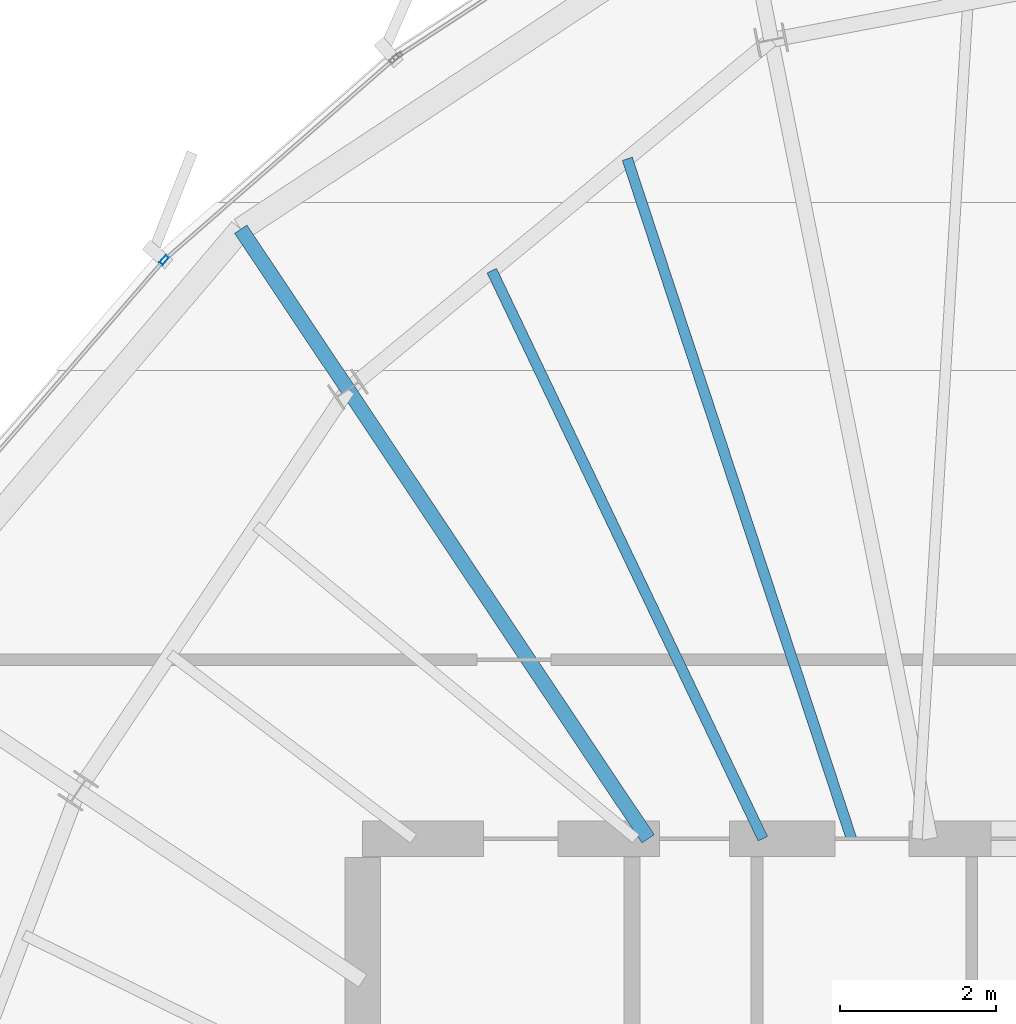
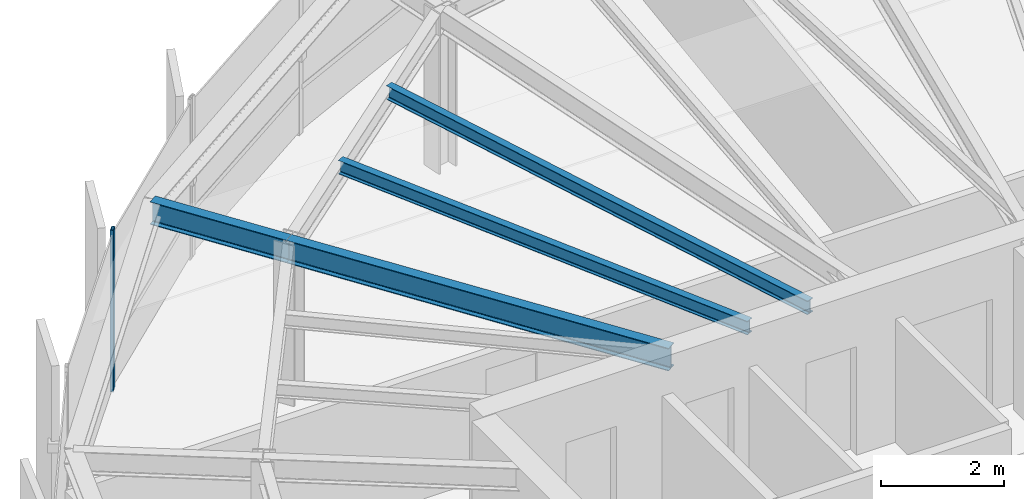
# One storey, part 19 of 32: 4 beams, 1 member, 1 element without a shape of its own.
"""IFC4 building model written with IfcOpenShell, lengths in metres."""

from ifc_helpers import new_model, si_unit, direction, frame, origin, origin_2d, place, context, subcontext, project, spatial, hollow_rectangle, i_section, extrude, source, transform, mapped, material, layer, layer_set, material_profile, profile_set, type_object, element, aggregate, save


model = new_model("IFC4")

# Units and contexts
model_context = context("Model", 3, precision=1e-05, world=origin(), true_north=direction((0.0, 1.0)))
body_context = subcontext(model_context, "Body", "Model", "MODEL_VIEW")
ifc_project = project(units=[si_unit("LENGTHUNIT", "METRE"), si_unit("AREAUNIT", "SQUARE_METRE"), si_unit("VOLUMEUNIT", "CUBIC_METRE"), si_unit("PLANEANGLEUNIT", "RADIAN"), si_unit("MASSUNIT", "GRAM", prefix="KILO"), si_unit("THERMODYNAMICTEMPERATUREUNIT", "KELVIN")], contexts=[model_context])

# Site, building, storey
site_placement = place(None, origin())
site = spatial("IfcSite", under=ifc_project, at=site_placement, CompositionType="ELEMENT")
building_placement = place(site_placement, origin())
building = spatial("IfcBuilding", under=site, at=building_placement, Name="Kethvar Cultural Tower", CompositionType="ELEMENT")
storey_placement = place(building_placement, frame((0.0, 0.0, 280.14990234375)))
storey = spatial("IfcBuildingStorey", under=building, at=storey_placement, Name="L74", CompositionType="ELEMENT", Elevation=280.14990234375)

# Beams
ifc_material_1 = material(Name="Steel S355J2", Category="steel")
ifc_material_profile_1 = material_profile(ifc_material_1, i_section(OverallWidth=0.18994140625, OverallDepth=0.449951171875, WebThickness=0.009521484375, FlangeThickness=0.0146484375, FilletRadius=0.02099609375, at=origin_2d()), Name="Steel S355J2 — IPE450")
ifc_profile_set_1 = profile_set([ifc_material_profile_1], Name="Steel S355J2 — IPE450")
beam_type_1 = type_object("IfcBeamType", Name="BM-IPE450", PredefinedType="BEAM", material=ifc_profile_set_1)
shared_shape_1 = source(origin(), body_context, "Body", "SweptSolid", [
    extrude(i_section(OverallWidth=0.18994140625, OverallDepth=0.449951171875, WebThickness=0.009521484375, FlangeThickness=0.0146484375, FilletRadius=0.02099609375, at=origin_2d()), origin(), (0.0, 0.0, 1.0), 6.921630859375),
])
beam_1_placement = place(storey_placement, frame((41.655029296875, 35.5, 2.983154296875), z_axis=(-0.555570841874, 0.831469205479, 0.0), x_axis=(-0.831469205479, -0.555570841874, 0.0)))
element("IfcBeam", 1, at=beam_1_placement, inside=storey, type_object=beam_type_1, Name="L74 Primary Radial Beam RB-06", PredefinedType="BEAM", context=body_context, shape_type="MappedRepresentation", body=[
    mapped(shared_shape_1, transform((0.0, 0.0, 0.0), scale=1.0)),
])
ifc_material_profile_2 = material_profile(ifc_material_1, i_section(OverallWidth=0.135009765625, OverallDepth=0.27001953125, WebThickness=0.006591796875, FlangeThickness=0.01025390625, FilletRadius=0.014892578125, at=origin_2d()), Name="Steel S355J2 — IPE270")
ifc_profile_set_2 = profile_set([ifc_material_profile_2], Name="Steel S355J2 — IPE270")
beam_type_2 = type_object("IfcBeamType", Name="BM-J270", PredefinedType="JOIST", material=ifc_profile_set_2)
shared_shape_2 = source(origin(), body_context, "Body", "SweptSolid", [
    extrude(i_section(OverallWidth=0.135009765625, OverallDepth=0.27001953125, WebThickness=0.006591796875, FlangeThickness=0.01025390625, FilletRadius=0.014892578125, at=origin_2d()), origin(), (0.0, 0.0, 1.0), 9.17138671875),
])
beam_2_placement = place(storey_placement, frame((44.260986328125, 35.5, 3.072998046875), z_axis=(-0.313151555446, 0.949703165901, 0.0), x_axis=(-0.949703165901, -0.313151555446, 0.0)))
element("IfcBeam", 2, at=beam_2_placement, inside=storey, type_object=beam_type_2, Name="L74 Composite Floor Joist J-05A", PredefinedType="JOIST", context=body_context, shape_type="MappedRepresentation", body=[
    mapped(shared_shape_2, transform((0.0, 0.0, 0.0), scale=1.0)),
])
shared_shape_3 = source(origin(), body_context, "Body", "SweptSolid", [
    extrude(i_section(OverallWidth=0.135009765625, OverallDepth=0.27001953125, WebThickness=0.006591796875, FlangeThickness=0.01025390625, FilletRadius=0.014892578125, at=origin_2d()), origin(), (0.0, 0.0, 1.0), 8.063232421875),
])
beam_3_placement = place(storey_placement, frame((43.1259765625, 35.5, 3.072998046875), z_axis=(-0.430642151588, 0.902522762746, 0.0), x_axis=(-0.902522762746, -0.430642151588, 0.0)))
element("IfcBeam", 3, at=beam_3_placement, inside=storey, type_object=beam_type_2, Name="L74 Composite Floor Joist J-05B", PredefinedType="JOIST", context=body_context, shape_type="MappedRepresentation", body=[
    mapped(shared_shape_3, transform((0.0, 0.0, 0.0), scale=1.0)),
])
shared_shape_4 = source(origin(), body_context, "Body", "SweptSolid", [
    extrude(i_section(OverallWidth=0.18994140625, OverallDepth=0.449951171875, WebThickness=0.009521484375, FlangeThickness=0.0146484375, FilletRadius=0.02099609375, at=origin_2d()), origin(), (0.0, 0.0, 1.0), 2.4697265625),
])
beam_4_placement = place(storey_placement, frame((37.8095703125, 41.255126953125, 2.983154296875), z_axis=(-0.555566780095, 0.831471919463, 0.0), x_axis=(-0.831471919463, -0.555566780095, 0.0)))
element("IfcBeam", 4, at=beam_4_placement, inside=storey, type_object=beam_type_1, Name="L74 Perimeter Cantilever Beam RC-06", PredefinedType="BEAM", context=body_context, shape_type="MappedRepresentation", body=[
    mapped(shared_shape_4, transform((0.0, 0.0, 0.0), scale=1.0)),
])

# Curtain wall, member
ifc_material_2 = material(Name="Aluminium 6063-T6", Category="aluminium")
ifc_layer = layer(ifc_material_2, 0.179931640625, Name="Aluminium 6063-T6", Category="aluminium")
ifc_layer_set = layer_set([ifc_layer], Name="Aluminium 6063-T6 (180 mm)")
curtain_wall_type = type_object("IfcCurtainWallType", Name="CW-SYS-05-Z56", PredefinedType="NOTDEFINED", material=ifc_layer_set)
curtain_wall_placement = place(storey_placement, origin())
curtain_wall = element("IfcCurtainWall", 5, at=curtain_wall_placement, inside=storey, type_object=curtain_wall_type, Name="L74 Curtain Wall Run 02", PredefinedType="NOTDEFINED")
ifc_material_profile_3 = material_profile(ifc_material_2, hollow_rectangle(XDim=0.054931640625, YDim=0.1201171875, WallThickness=0.00390625, at=origin_2d()), Name="Aluminium 6063-T6 — RHS120x55x4")
ifc_profile_set_3 = profile_set([ifc_material_profile_3], Name="Aluminium 6063-T6 — RHS120x55x4")
member_type = type_object("IfcMemberType", Name="CW-SYS-05-Z56-MUL", PredefinedType="MULLION", material=ifc_profile_set_3)
shared_shape_5 = source(origin(), body_context, "Body", "SweptSolid", [
    extrude(hollow_rectangle(XDim=0.054931640625, YDim=0.1201171875, WallThickness=0.00390625, at=origin_2d()), origin(), (0.0, 0.0, 1.0), 3.210205078125),
])
member_placement = place(storey_placement, frame((35.455810546875, 42.912353515625, 0.0), z_axis=(0.0, 0.0, 1.0), x_axis=(0.755727754026, -0.654885915099, 0.0)))
member = element("IfcMember", 6, at=member_placement, type_object=member_type, Name="CW-L74-R02 Mullion 2", PredefinedType="MULLION", context=body_context, shape_type="MappedRepresentation", body=[
    mapped(shared_shape_5, transform((0.0, 0.0, 0.0), scale=1.0)),
])
aggregate(curtain_wall, [member])

save(model, "model.ifc")
